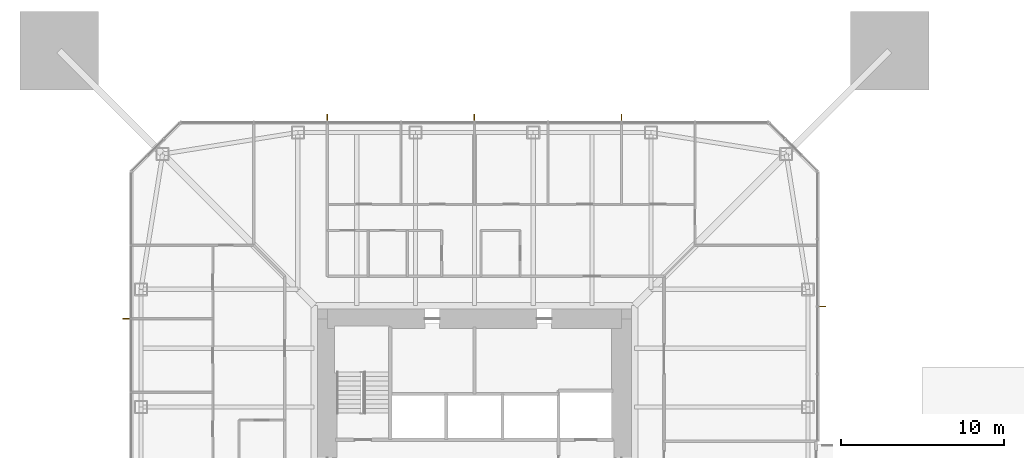
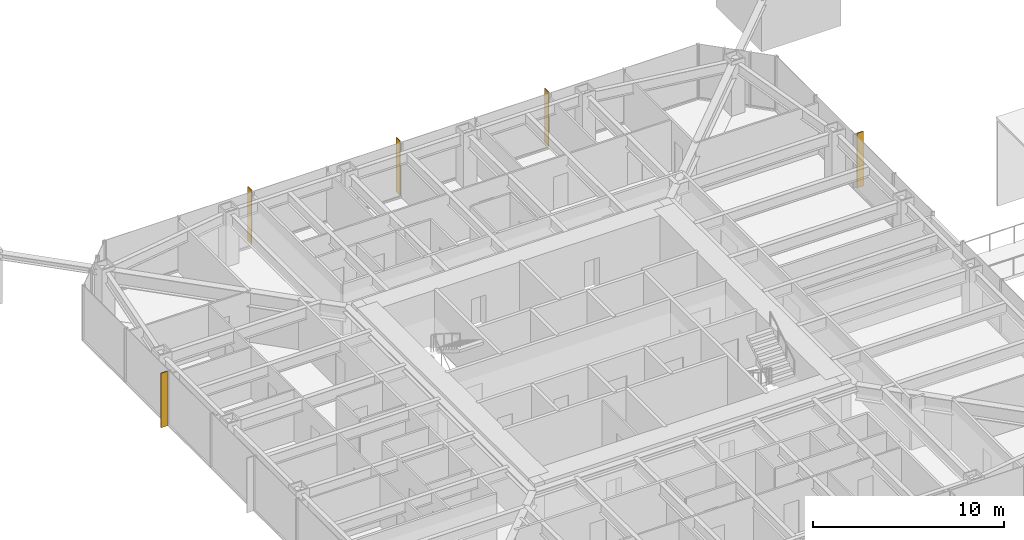
# One storey, part 22 of 23: 5 shading devices.
"""IFC4 building model written with IfcOpenShell, lengths in metres."""

from ifc_helpers import new_model, si_unit, direction, frame, origin, origin_2d, place, context, subcontext, project, spatial, rectangle, extrude, material, layer, layer_set, type_object, element, save


model = new_model("IFC4")

# Units and contexts
model_context = context("Model", 3, precision=1e-05, world=origin(), true_north=direction((0.0, 1.0)))
body_context = subcontext(model_context, "Body", "Model", "MODEL_VIEW")
ifc_project = project(units=[si_unit("LENGTHUNIT", "METRE"), si_unit("AREAUNIT", "SQUARE_METRE"), si_unit("VOLUMEUNIT", "CUBIC_METRE"), si_unit("PLANEANGLEUNIT", "RADIAN"), si_unit("MASSUNIT", "GRAM", prefix="KILO")], contexts=[model_context])

# Site, building, storey
site_placement = place(None, origin())
site = spatial("IfcSite", under=ifc_project, at=site_placement, CompositionType="ELEMENT")
building_placement = place(site_placement, origin())
building = spatial("IfcBuilding", under=site, at=building_placement, Name="Iwan Alto Co-Living Towers", CompositionType="ELEMENT")
storey_placement = place(building_placement, frame((0.0, 0.0, 129.5)))
storey = spatial("IfcBuildingStorey", under=building, at=storey_placement, Name="L35", CompositionType="ELEMENT", Elevation=129.5)

# Shading devices
ifc_material = material(Name="Aluminium 6063-T6 bronze anodised", Category="aluminium")
ifc_layer = layer(ifc_material, 0.050048828125)
ifc_layer_set = layer_set([ifc_layer], Name="BRONZE FIN 50X400")
shading_device_type = type_object("IfcShadingDeviceType", Name="BRONZE FIN 50X400", PredefinedType="USERDEFINED", material=ifc_layer_set)
for number, where, z_axis, x_axis, name in (
    (1, (21.300048828125, 9.75, 0.0), (0.0, 0.0, 1.0), (0.0, 1.0, 0.0), "Bronze fin L35"),
    (2, (9.0, 21.300048828125, 0.0), (0.0, 0.0, 1.0), (-1.0, 0.0, 0.0), "Bronze fin L35"),
    (3, (0.0, 21.300048828125, 0.0), (0.0, 0.0, 1.0), (-1.0, 0.0, 0.0), "Bronze fin L35"),
    (4, (-9.0, 21.300048828125, 0.0), (0.0, 0.0, 1.0), (-1.0, 0.0, 0.0), "Bronze fin L35"),
    (5, (-21.300048828125, 9.0, 0.0), (0.0, 0.0, 1.0), (0.0, -1.0, 0.0), "Bronze fin L35"),
):
    element("IfcShadingDevice", number, at=place(storey_placement, frame(where, z_axis=z_axis, x_axis=x_axis)), inside=storey, type_object=shading_device_type, Name=name, ObjectType="LOUVER", PredefinedType="USERDEFINED", context=body_context, shape_type="SweptSolid", body=[
        extrude(rectangle(XDim=0.050048828125, YDim=0.39990234375, at=origin_2d()), origin(), (0.0, 0.0, 1.0), 3.5),
    ])

save(model, "model.ifc")
